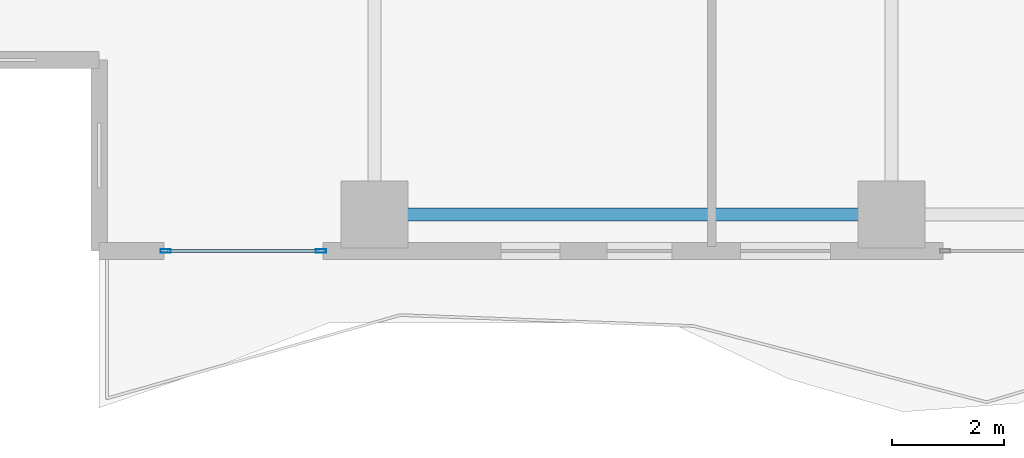
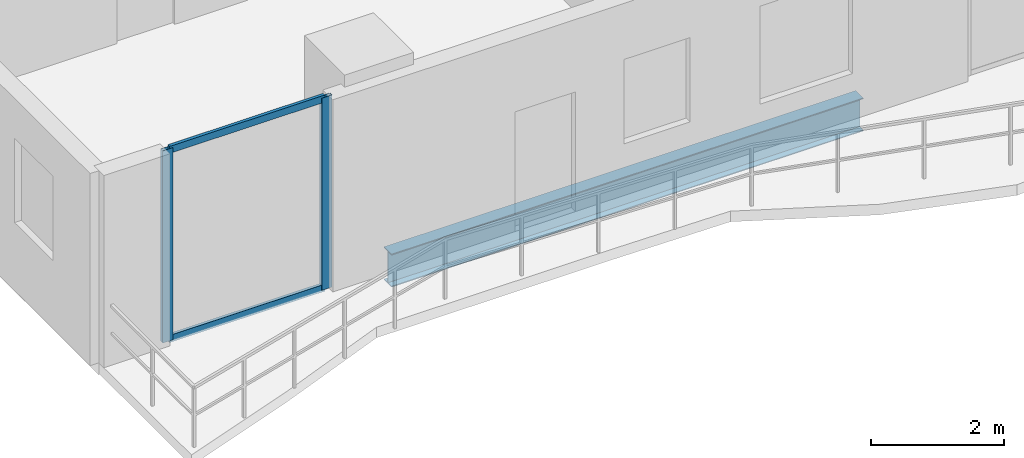
# One storey, part 2 of 33: 4 members, 1 beam, 1 element without a shape of its own.
"""IFC4 building model written with IfcOpenShell, lengths in metres."""

from ifc_helpers import new_model, si_unit, direction, frame, origin, origin_2d, place, context, subcontext, project, spatial, hollow_rectangle, i_section, extrude, material, layer, layer_set, material_profile, profile_set, type_object, element, aggregate, save


model = new_model("IFC4")

# Units and contexts
model_context = context("Model", 3, precision=1e-05, world=origin(), true_north=direction((0.0, 1.0)))
body_context = subcontext(model_context, "Body", "Model", "MODEL_VIEW")
ifc_project = project(units=[si_unit("LENGTHUNIT", "METRE"), si_unit("AREAUNIT", "SQUARE_METRE"), si_unit("VOLUMEUNIT", "CUBIC_METRE"), si_unit("PLANEANGLEUNIT", "RADIAN"), si_unit("MASSUNIT", "GRAM", prefix="KILO")], contexts=[model_context])

# Site, building, storey
site_placement = place(None, origin())
site = spatial("IfcSite", under=ifc_project, at=site_placement, CompositionType="ELEMENT")
building_placement = place(site_placement, origin())
building = spatial("IfcBuilding", under=site, at=building_placement, Name="Zuhayl Quay Hotel", CompositionType="ELEMENT")
storey_placement = place(building_placement, frame((0.0, 0.0, 207.39990234375)))
storey = spatial("IfcBuildingStorey", under=building, at=storey_placement, Name="L52", CompositionType="ELEMENT", Elevation=207.39990234375)

# Beam
ifc_material_1 = material(Name="Steel ASTM A992 Grade 50", Category="steel")
ifc_material_profile_1 = material_profile(ifc_material_1, i_section(OverallWidth=0.22802734375, OverallDepth=0.60693359375, WebThickness=0.01123046875, FlangeThickness=0.017333984375, at=origin_2d()), Name="W24X76")
ifc_profile_set_1 = profile_set([ifc_material_profile_1], Name="Steel ASTM A992 Grade 50")
beam_type = type_object("IfcBeamType", Name="BM_B3_W24X76", PredefinedType="BEAM", material=ifc_profile_set_1)
beam_placement = place(storey_placement, frame((-13.300048828125, -6.949951171875, -0.5234375), z_axis=(1.0, 0.0, 0.0), x_axis=(0.0, 1.0, 0.0)))
element("IfcBeam", 1, at=beam_placement, inside=storey, type_object=beam_type, Name="L52 Floor Beam RG_L52_01", PredefinedType="BEAM", context=body_context, shape_type="SweptSolid", body=[
    extrude(i_section(OverallWidth=0.22802734375, OverallDepth=0.60693359375, WebThickness=0.01123046875, FlangeThickness=0.017333984375, at=origin_2d()), origin(), (0.0, 0.0, 1.0), 8.199951171875),
])

# Curtain wall, members
ifc_material_2 = material(Name="Anodised Aluminium 6063-T6", Category="aluminium")
ifc_layer = layer(ifc_material_2, 0.175048828125, Name="Anodised Aluminium 6063-T6", Category="aluminium")
ifc_layer_set = layer_set([ifc_layer], Name="Anodised Aluminium 6063-T6")
curtain_wall_type = type_object("IfcCurtainWallType", Name="CW_SYS_Z3", PredefinedType="USERDEFINED", material=ifc_layer_set)
curtain_wall_placement = place(storey_placement, origin())
curtain_wall = element("IfcCurtainWall", 2, at=curtain_wall_placement, inside=storey, type_object=curtain_wall_type, Name="L52 Curtain Wall ENV_L52_S_CW5", ObjectType="UNITISED CURTAIN WALL", PredefinedType="USERDEFINED")
ifc_material_3 = material(Name="Black-anodised aluminium 6063-T6", Category="aluminium")
ifc_material_profile_2 = material_profile(ifc_material_3, hollow_rectangle(XDim=0.06494140625, YDim=0.179931640625, WallThickness=0.00341796875, at=origin_2d()), Name="ALU180X65")
ifc_profile_set_2 = profile_set([ifc_material_profile_2], Name="Black-anodised aluminium 6063-T6")
member_type_1 = type_object("IfcMemberType", Name="MB_CW_MUL_180", PredefinedType="MULLION", material=ifc_profile_set_2)
member_1_placement = place(storey_placement, frame((-14.75244140625, -7.60009765625, 0.0), z_axis=(0.0, 0.0, 1.0), x_axis=(0.0, -1.0, 0.0)))
member_1 = element("IfcMember", 3, at=member_1_placement, type_object=member_type_1, Name="CW-Z3 mullion 1", PredefinedType="MULLION", context=body_context, shape_type="SweptSolid", body=[
    extrude(hollow_rectangle(XDim=0.06494140625, YDim=0.179931640625, WallThickness=0.00341796875, at=origin_2d()), origin(), (0.0, 0.0, 1.0), 3.530029296875),
])
member_2_placement = place(storey_placement, frame((-17.517578125, -7.60009765625, 0.0), z_axis=(0.0, 0.0, 1.0), x_axis=(0.0, -1.0, 0.0)))
member_2 = element("IfcMember", 4, at=member_2_placement, type_object=member_type_1, Name="CW-Z3 mullion 2", PredefinedType="MULLION", context=body_context, shape_type="SweptSolid", body=[
    extrude(hollow_rectangle(XDim=0.06494140625, YDim=0.179931640625, WallThickness=0.00341796875, at=origin_2d()), origin(), (0.0, 0.0, 1.0), 3.530029296875),
])
ifc_material_profile_3 = material_profile(ifc_material_3, hollow_rectangle(XDim=0.054931640625, YDim=0.1298828125, WallThickness=0.0029296875, at=origin_2d()), Name="ALU130X55")
ifc_profile_set_3 = profile_set([ifc_material_profile_3], Name="Black-anodised aluminium 6063-T6")
member_type_2 = type_object("IfcMemberType", Name="MB_CW_TRN_130", PredefinedType="USERDEFINED", material=ifc_profile_set_3)
member_3_placement = place(storey_placement, frame((-14.784912109375, -7.60009765625, 0.027587890625), z_axis=(-1.0, 0.0, 0.0), x_axis=(0.0, -1.0, 0.0)))
member_3 = element("IfcMember", 5, at=member_3_placement, type_object=member_type_2, Name="CW-Z3 transom 1.1", ObjectType="TRANSOM", PredefinedType="USERDEFINED", context=body_context, shape_type="SweptSolid", body=[
    extrude(hollow_rectangle(XDim=0.054931640625, YDim=0.1298828125, WallThickness=0.0029296875, at=origin_2d()), origin(), (0.0, 0.0, 1.0), 2.7001953125),
])
member_4_placement = place(storey_placement, frame((-14.784912109375, -7.60009765625, 3.502685546875), z_axis=(-1.0, 0.0, 0.0), x_axis=(0.0, -1.0, 0.0)))
member_4 = element("IfcMember", 6, at=member_4_placement, type_object=member_type_2, Name="CW-Z3 transom 1.2", ObjectType="TRANSOM", PredefinedType="USERDEFINED", context=body_context, shape_type="SweptSolid", body=[
    extrude(hollow_rectangle(XDim=0.054931640625, YDim=0.1298828125, WallThickness=0.0029296875, at=origin_2d()), origin(), (0.0, 0.0, 1.0), 2.7001953125),
])
aggregate(curtain_wall, [member_1, member_2, member_3, member_4])

save(model, "model.ifc")
